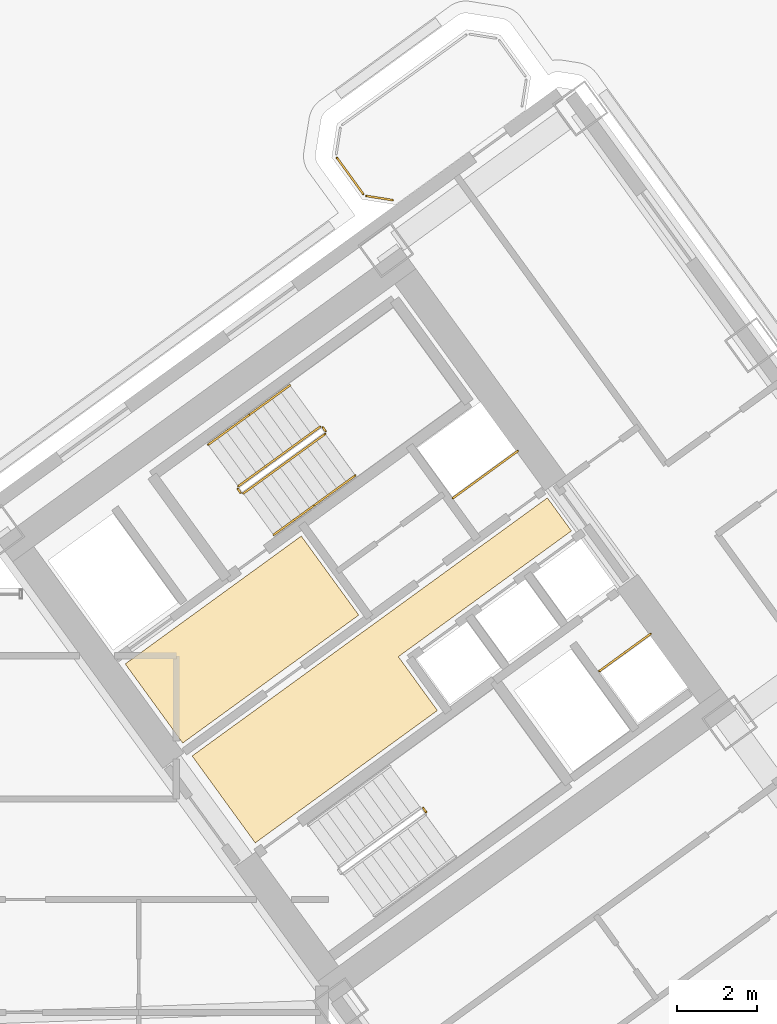
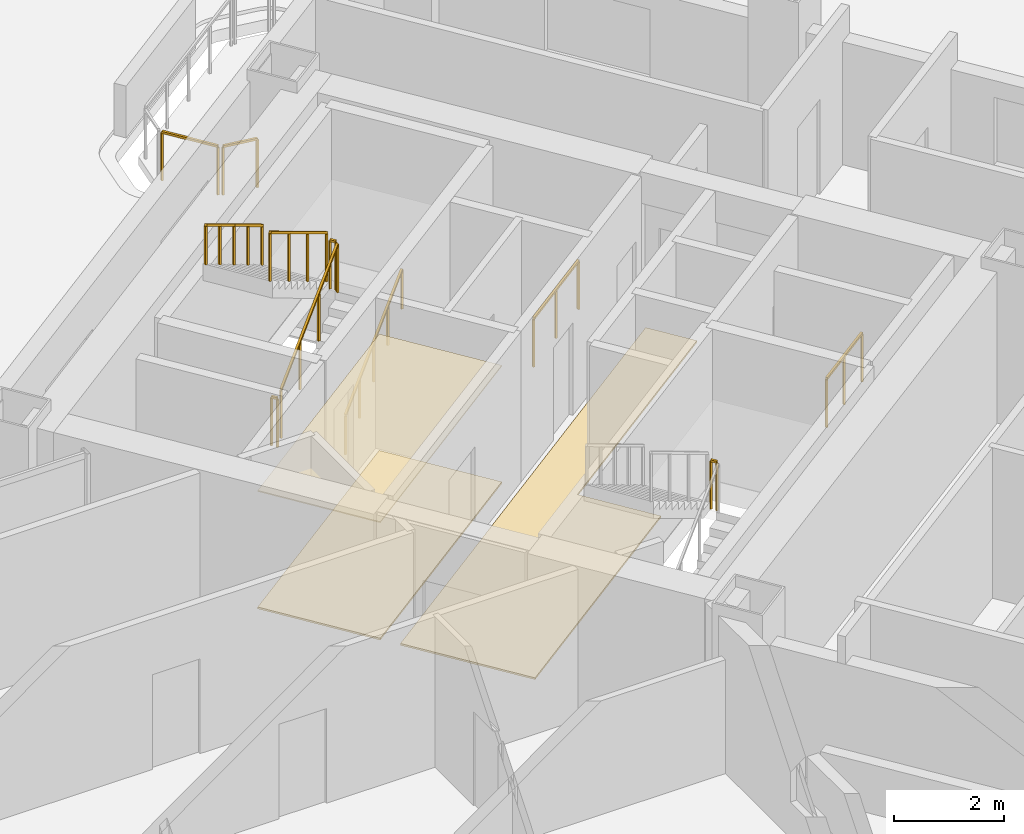
# One storey, part 27 of 28: 13 railings, 3 coverings.
"""IFC4 building model written with IfcOpenShell, lengths in metres."""

from ifc_helpers import new_model, si_unit, direction, frame, origin, origin_2d, place, context, subcontext, project, spatial, polyline, rectangle, outline, extrude, source, transform, mapped, material, layer, layer_set, type_object, element, save


model = new_model("IFC4")

# Units and contexts
model_context = context("Model", 3, precision=1e-05, world=origin(), true_north=direction((0.0, 1.0)))
body_context = subcontext(model_context, "Body", "Model", "MODEL_VIEW")
ifc_project = project(units=[si_unit("LENGTHUNIT", "METRE"), si_unit("AREAUNIT", "SQUARE_METRE"), si_unit("VOLUMEUNIT", "CUBIC_METRE"), si_unit("PLANEANGLEUNIT", "RADIAN"), si_unit("MASSUNIT", "GRAM", prefix="KILO")], contexts=[model_context])

# Site, building, storey
site_placement = place(None, origin())
site = spatial("IfcSite", under=ifc_project, at=site_placement, CompositionType="ELEMENT")
building_placement = place(site_placement, origin())
building = spatial("IfcBuilding", under=site, at=building_placement, Name="Tlacorven Tower", CompositionType="ELEMENT")
storey_placement = place(building_placement, frame((0.0, 0.0, 24.0)))
storey = spatial("IfcBuildingStorey", under=building, at=storey_placement, Name="L05", CompositionType="ELEMENT", Elevation=24.0)

# Coverings
ifc_material_1 = material(Name="Acoustic mineral-fibre ceiling")
ifc_layer_1 = layer(ifc_material_1, 0.02490234375)
ifc_layer_set_1 = layer_set([ifc_layer_1], Name="Acoustic mineral-fibre ceiling")
covering_type_1 = type_object("IfcCoveringType", Name="CV-CLG-ACST", PredefinedType="CEILING", material=ifc_layer_set_1)
covering_1_placement = place(storey_placement, frame((0.0, 0.0, 2.60009765625)))
element("IfcCovering", 1, at=covering_1_placement, inside=storey, type_object=covering_type_1, Name="L05 Acoustic Suspended Ceiling 3", PredefinedType="CEILING", context=body_context, shape_type="SweptSolid", body=[
    extrude(outline(polyline([(48.760498046875, 19.326171875), (47.326171875, 21.300048828125), (51.71923828125, 24.49169921875), (53.1533203125, 22.517822265625), (48.760498046875, 19.326171875)])), origin(), (0.0, 0.0, 1.0), 0.02490234375),
])
ifc_material_2 = material(Name="Terrazzo and ceramic flooring")
ifc_layer_2 = layer(ifc_material_2, 0.0400390625)
ifc_layer_set_2 = layer_set([ifc_layer_2], Name="Terrazzo and ceramic flooring")
covering_type_2 = type_object("IfcCoveringType", Name="CV-FLR-TERZ", PredefinedType="FLOORING", material=ifc_layer_set_2)
covering_2_placement = place(storey_placement, origin())
element("IfcCovering", 2, at=covering_2_placement, inside=storey, type_object=covering_type_2, Name="L05 Terrazzo Floor Finish 3", PredefinedType="FLOORING", context=body_context, shape_type="SweptSolid", body=[
    extrude(outline(polyline([(48.760498046875, 19.326171875), (47.326171875, 21.300048828125), (51.71923828125, 24.49169921875), (53.1533203125, 22.517822265625), (48.760498046875, 19.326171875)])), origin(), (0.0, 0.0, 1.0), 0.0400390625),
])
covering_3_placement = place(storey_placement, origin())
element("IfcCovering", 3, at=covering_3_placement, inside=storey, type_object=covering_type_2, Name="L05 Terrazzo Floor Finish 4", PredefinedType="FLOORING", context=body_context, shape_type="SweptSolid", body=[
    extrude(outline(polyline([(50.57080078125, 16.834228515625), (48.99560546875, 19.00244140625), (57.8623046875, 25.444580078125), (58.4619140625, 24.619384765625), (54.141845703125, 21.480712890625), (55.117431640625, 20.1376953125), (50.57080078125, 16.834228515625)])), origin(), (0.0, 0.0, 1.0), 0.0400390625),
])

# Railings
ifc_material_3 = material(Name="Aluminium and painted steel balustrade", Category="steel")
railing_type_1 = type_object("IfcRailingType", Name="RL-GRD-1100", PredefinedType="GUARDRAIL", material=ifc_material_3)
shared_shape_1 = source(origin(), body_context, "Body", "SweptSolid", [
    extrude(rectangle(XDim=0.048095703125, YDim=0.048095703125, at=origin_2d()), frame((0.0, 0.0, 1.076171875), z_axis=(0.808947177504, 0.587881334972, 0.0), x_axis=(-0.587881334972, 0.808947177504, 0.0)), (0.0, 0.0, 1.0), 2.0),
    extrude(rectangle(XDim=0.0419921875, YDim=0.0419921875, at=origin_2d()), origin(), (0.0, 0.0, 1.0), 1.052001953125),
    extrude(rectangle(XDim=0.0419921875, YDim=0.0419921875, at=origin_2d()), frame((0.80908203125, 0.587890625, 0.0)), (0.0, 0.0, 1.0), 1.052001953125),
    extrude(rectangle(XDim=0.0419921875, YDim=0.0419921875, at=origin_2d()), frame((1.617919921875, 1.17578125, 0.0)), (0.0, 0.0, 1.0), 1.052001953125),
])
railing_1_placement = place(storey_placement, frame((55.506103515625, 25.438232421875, 0.0)))
element("IfcRailing", 4, at=railing_1_placement, inside=storey, type_object=railing_type_1, Name="L05 Electrical Riser E Shaft Guard 1", PredefinedType="GUARDRAIL", context=body_context, shape_type="MappedRepresentation", body=[
    mapped(shared_shape_1, transform((0.0, 0.0, 0.0), scale=1.0)),
])
shared_shape_2 = source(origin(), body_context, "Body", "SweptSolid", [
    extrude(rectangle(XDim=0.048095703125, YDim=0.048095703125, at=origin_2d()), frame((0.0, 0.0, 1.076171875), z_axis=(0.809029975545, 0.58776738483, 0.0), x_axis=(-0.58776738483, 0.809029975545, 0.0)), (0.0, 0.0, 1.0), 1.580078125),
    extrude(rectangle(XDim=0.0419921875, YDim=0.0419921875, at=origin_2d()), origin(), (0.0, 0.0, 1.0), 1.052001953125),
    extrude(rectangle(XDim=0.0419921875, YDim=0.0419921875, at=origin_2d()), frame((0.63916015625, 0.46435546875, 0.0)), (0.0, 0.0, 1.0), 1.052001953125),
    extrude(rectangle(XDim=0.0419921875, YDim=0.0419921875, at=origin_2d()), frame((1.2783203125, 0.9287109375, 0.0)), (0.0, 0.0, 1.0), 1.052001953125),
])
railing_2_placement = place(storey_placement, frame((59.160888671875, 21.122314453125, 0.0)))
element("IfcRailing", 5, at=railing_2_placement, inside=storey, type_object=railing_type_1, Name="L05 Smoke Riser E Shaft Guard 1", PredefinedType="GUARDRAIL", context=body_context, shape_type="MappedRepresentation", body=[
    mapped(shared_shape_2, transform((0.0, 0.0, 0.0), scale=1.0)),
])
railing_type_2 = type_object("IfcRailingType", Name="RL-BAL-1100", PredefinedType="BALUSTRADE", material=ifc_material_3)
shared_shape_3 = source(origin(), body_context, "Body", "SweptSolid", [
    extrude(rectangle(XDim=0.048095703125, YDim=0.048095703125, at=origin_2d()), frame((0.0, 0.0, 1.076171875), z_axis=(-0.987718317463, 0.156245081039, 0.0), x_axis=(-0.156245081039, -0.987718317463, 0.0)), (0.0, 0.0, 1.0), 0.66552734375),
    extrude(rectangle(XDim=0.0419921875, YDim=0.0419921875, at=origin_2d()), origin(), (0.0, 0.0, 1.0), 1.052001953125),
    extrude(rectangle(XDim=0.0419921875, YDim=0.0419921875, at=origin_2d()), frame((-0.657470703125, 0.10400390625, 0.0)), (0.0, 0.0, 1.0), 1.052001953125),
])
railing_3_placement = place(storey_placement, frame((54.00341796875, 32.8759765625, 0.0)))
element("IfcRailing", 6, at=railing_3_placement, inside=storey, type_object=railing_type_2, Name="BAL-L05-E-IN Guard Railing 1", PredefinedType="BALUSTRADE", context=body_context, shape_type="MappedRepresentation", body=[
    mapped(shared_shape_3, transform((0.0, 0.0, 0.0), scale=1.0)),
])
shared_shape_4 = source(origin(), body_context, "Body", "SweptSolid", [
    extrude(rectangle(XDim=0.048095703125, YDim=0.048095703125, at=origin_2d()), frame((0.0, 0.0, 1.076171875), z_axis=(-0.587740817519, 0.809049276263, 0.0), x_axis=(-0.809049276263, -0.587740817519, 0.0)), (0.0, 0.0, 1.0), 1.112060546875),
    extrude(rectangle(XDim=0.0419921875, YDim=0.0419921875, at=origin_2d()), origin(), (0.0, 0.0, 1.0), 1.052001953125),
    extrude(rectangle(XDim=0.0419921875, YDim=0.0419921875, at=origin_2d()), frame((-0.653564453125, 0.899658203125, 0.0)), (0.0, 0.0, 1.0), 1.052001953125),
])
railing_4_placement = place(storey_placement, frame((53.26708984375, 33.0283203125, 0.0)))
element("IfcRailing", 7, at=railing_4_placement, inside=storey, type_object=railing_type_2, Name="BAL-L05-E-IN Guard Railing 2", PredefinedType="BALUSTRADE", context=body_context, shape_type="MappedRepresentation", body=[
    mapped(shared_shape_4, transform((0.0, 0.0, 0.0), scale=1.0)),
])
shared_shape_5 = source(origin(), body_context, "Body", "SweptSolid", [
    extrude(rectangle(XDim=0.048095703125, YDim=0.048095703125, at=origin_2d()), frame((0.0, 0.0, 1.076171875), z_axis=(-0.587567097037, 0.809175448515, 0.0), x_axis=(-0.809175448515, -0.587567097037, 0.0)), (0.0, 0.0, 1.0), 0.1201171875),
    extrude(rectangle(XDim=0.0419921875, YDim=0.0419921875, at=origin_2d()), origin(), (0.0, 0.0, 1.0), 1.052001953125),
    extrude(rectangle(XDim=0.0419921875, YDim=0.0419921875, at=origin_2d()), frame((-0.070556640625, 0.09716796875, 0.0)), (0.0, 0.0, 1.0), 1.052001953125),
])
railing_5_placement = place(storey_placement, frame((54.8310546875, 17.605712890625, 1.800048828125)))
element("IfcRailing", 8, at=railing_5_placement, inside=storey, type_object=railing_type_1, Name="L05 ST-E2 stair guard 2", PredefinedType="GUARDRAIL", context=body_context, shape_type="MappedRepresentation", body=[
    mapped(shared_shape_5, transform((0.0, 0.0, 0.0), scale=1.0)),
])
shared_shape_6 = source(origin(), body_context, "Body", "SweptSolid", [
    extrude(rectangle(XDim=0.048095703125, YDim=0.048095703125, at=origin_2d()), frame((0.0, 0.0, 1.076171875), z_axis=(-0.587201422542, 0.809440849824, 0.0), x_axis=(-0.809440849824, -0.587201422542, 0.0)), (0.0, 0.0, 1.0), 0.11962890625),
    extrude(rectangle(XDim=0.0419921875, YDim=0.0419921875, at=origin_2d()), origin(), (0.0, 0.0, 1.0), 1.052001953125),
    extrude(rectangle(XDim=0.0419921875, YDim=0.0419921875, at=origin_2d()), frame((-0.0703125, 0.096923828125, 0.0)), (0.0, 0.0, 1.0), 1.052001953125),
])
for number, where, name in (
    (9, (52.326904296875, 27.10888671875, 1.800048828125), "L05 ST-E1 stair guard 2"),
    (10, (50.207275390625, 25.56884765625, 0.0), "L05 ST-E1 stair guard 4"),
):
    element("IfcRailing", number, at=place(storey_placement, frame(where)), inside=storey, type_object=railing_type_1, Name=name, PredefinedType="GUARDRAIL", context=body_context, shape_type="MappedRepresentation", body=[
        mapped(shared_shape_6, transform((0.0, 0.0, 0.0), scale=1.0)),
    ])
shared_shape_7 = source(origin(), body_context, "Body", "SweptSolid", [
    extrude(rectangle(XDim=0.048095703125, YDim=0.048095703125, at=origin_2d()), frame((0.0, 0.0, 1.076171875), z_axis=(0.680488636597, 0.494434078831, 0.540805100894), x_axis=(-0.5878087079, 0.808999952359, 0.0)), (0.0, 0.0, 1.0), 2.995849609375),
    extrude(rectangle(XDim=0.0419921875, YDim=0.0419921875, at=origin_2d()), origin(), (0.0, 0.0, 1.0), 1.052001953125),
    extrude(rectangle(XDim=0.0419921875, YDim=0.0419921875, at=origin_2d()), frame((0.679443359375, 0.49365234375, 0.5400390625)), (0.0, 0.0, 1.0), 1.052001953125),
    extrude(rectangle(XDim=0.0419921875, YDim=0.0419921875, at=origin_2d()), frame((1.359130859375, 0.987548828125, 1.080078125)), (0.0, 0.0, 1.0), 1.052001953125),
    extrude(rectangle(XDim=0.0419921875, YDim=0.0419921875, at=origin_2d()), frame((2.03857421875, 1.481201171875, 1.6201171875)), (0.0, 0.0, 1.0), 1.052001953125),
])
railing_6_placement = place(storey_placement, frame((50.27734375, 25.557861328125, 0.179931640625)))
element("IfcRailing", 11, at=railing_6_placement, inside=storey, type_object=railing_type_1, Name="L05 ST-E1 stair guard 1", PredefinedType="GUARDRAIL", context=body_context, shape_type="MappedRepresentation", body=[
    mapped(shared_shape_7, transform((0.0, 0.0, 0.0), scale=1.0)),
])
shared_shape_8 = source(origin(), body_context, "Body", "SweptSolid", [
    extrude(rectangle(XDim=0.048095703125, YDim=0.048095703125, at=origin_2d()), frame((0.0, 0.0, 1.076171875), z_axis=(-0.680488636597, -0.494434078831, 0.540805100894), x_axis=(0.5878087079, -0.808999952359, 0.0)), (0.0, 0.0, 1.0), 2.995849609375),
    extrude(rectangle(XDim=0.0419921875, YDim=0.0419921875, at=origin_2d()), origin(), (0.0, 0.0, 1.0), 1.052001953125),
    extrude(rectangle(XDim=0.0419921875, YDim=0.0419921875, at=origin_2d()), frame((-0.679443359375, -0.49365234375, 0.5400390625)), (0.0, 0.0, 1.0), 1.052001953125),
    extrude(rectangle(XDim=0.0419921875, YDim=0.0419921875, at=origin_2d()), frame((-1.359130859375, -0.987548828125, 1.080078125)), (0.0, 0.0, 1.0), 1.052001953125),
    extrude(rectangle(XDim=0.0419921875, YDim=0.0419921875, at=origin_2d()), frame((-2.03857421875, -1.481201171875, 1.6201171875)), (0.0, 0.0, 1.0), 1.052001953125),
])
railing_7_placement = place(storey_placement, frame((52.1865234375, 27.217041015625, 1.97998046875)))
element("IfcRailing", 12, at=railing_7_placement, inside=storey, type_object=railing_type_1, Name="L05 ST-E1 stair guard 3", PredefinedType="GUARDRAIL", context=body_context, shape_type="MappedRepresentation", body=[
    mapped(shared_shape_8, transform((0.0, 0.0, 0.0), scale=1.0)),
])
railing_type_3 = type_object("IfcRailingType", Name="RL-HND-0900", PredefinedType="HANDRAIL", material=ifc_material_3)
shared_shape_9 = source(origin(), body_context, "Body", "SweptSolid", [
    extrude(rectangle(XDim=0.048095703125, YDim=0.048095703125, at=origin_2d()), frame((0.0, 0.0, 0.8759765625), z_axis=(0.680516055757, 0.494372502302, 0.540826891737), x_axis=(-0.587745292299, 0.809046025502, 0.0)), (0.0, 0.0, 1.0), 1.497802734375),
    extrude(rectangle(XDim=0.0419921875, YDim=0.0419921875, at=origin_2d()), origin(), (0.0, 0.0, 1.0), 0.851806640625),
    extrude(rectangle(XDim=0.0419921875, YDim=0.0419921875, at=origin_2d()), frame((0.509765625, 0.3701171875, 0.405029296875)), (0.0, 0.0, 1.0), 0.851806640625),
    extrude(rectangle(XDim=0.0419921875, YDim=0.0419921875, at=origin_2d()), frame((1.019287109375, 0.740478515625, 0.81005859375)), (0.0, 0.0, 1.0), 0.851806640625),
])
railing_8_placement = place(storey_placement, frame((51.029541015625, 24.522216796875, 0.179931640625)))
element("IfcRailing", 13, at=railing_8_placement, inside=storey, type_object=railing_type_3, Name="L05 ST-E1 stair handrail 1", PredefinedType="HANDRAIL", context=body_context, shape_type="MappedRepresentation", body=[
    mapped(shared_shape_9, transform((0.0, 0.0, 0.0), scale=1.0)),
])
shared_shape_10 = source(origin(), body_context, "Body", "SweptSolid", [
    extrude(rectangle(XDim=0.048095703125, YDim=0.048095703125, at=origin_2d()), frame((0.0, 0.0, 0.8759765625), z_axis=(0.680548719995, 0.49444080854, 0.540723336433), x_axis=(-0.587779977844, 0.80902082646, 0.0)), (0.0, 0.0, 1.0), 1.498046875),
    extrude(rectangle(XDim=0.0419921875, YDim=0.0419921875, at=origin_2d()), origin(), (0.0, 0.0, 1.0), 0.851806640625),
    extrude(rectangle(XDim=0.0419921875, YDim=0.0419921875, at=origin_2d()), frame((0.509765625, 0.370361328125, 0.405029296875)), (0.0, 0.0, 1.0), 0.851806640625),
    extrude(rectangle(XDim=0.0419921875, YDim=0.0419921875, at=origin_2d()), frame((1.01953125, 0.74072265625, 0.81005859375)), (0.0, 0.0, 1.0), 0.851806640625),
])
railing_9_placement = place(storey_placement, frame((52.048828125, 25.2626953125, 0.989990234375)))
element("IfcRailing", 14, at=railing_9_placement, inside=storey, type_object=railing_type_3, Name="L05 ST-E1 stair handrail 2", PredefinedType="HANDRAIL", context=body_context, shape_type="MappedRepresentation", body=[
    mapped(shared_shape_10, transform((0.0, 0.0, 0.0), scale=1.0)),
])
shared_shape_11 = source(origin(), body_context, "Body", "SweptSolid", [
    extrude(rectangle(XDim=0.048095703125, YDim=0.048095703125, at=origin_2d()), frame((0.0, 0.0, 0.8759765625), z_axis=(-0.680603554404, -0.494317667746, 0.540766904577), x_axis=(0.587653156371, -0.809112951205, 0.0)), (0.0, 0.0, 1.0), 1.498046875),
    extrude(rectangle(XDim=0.0419921875, YDim=0.0419921875, at=origin_2d()), origin(), (0.0, 0.0, 1.0), 0.851806640625),
    extrude(rectangle(XDim=0.0419921875, YDim=0.0419921875, at=origin_2d()), frame((-0.509765625, -0.3701171875, 0.405029296875)), (0.0, 0.0, 1.0), 0.851806640625),
    extrude(rectangle(XDim=0.0419921875, YDim=0.0419921875, at=origin_2d()), frame((-1.01953125, -0.740478515625, 0.81005859375)), (0.0, 0.0, 1.0), 0.851806640625),
])
railing_10_placement = place(storey_placement, frame((51.434326171875, 28.25244140625, 1.97998046875)))
element("IfcRailing", 15, at=railing_10_placement, inside=storey, type_object=railing_type_3, Name="L05 ST-E1 stair handrail 3", PredefinedType="HANDRAIL", context=body_context, shape_type="MappedRepresentation", body=[
    mapped(shared_shape_11, transform((0.0, 0.0, 0.0), scale=1.0)),
])
shared_shape_12 = source(origin(), body_context, "Body", "SweptSolid", [
    extrude(rectangle(XDim=0.048095703125, YDim=0.048095703125, at=origin_2d()), frame((0.0, 0.0, 0.8759765625), z_axis=(-0.680461216233, -0.494495647917, 0.540783309093), x_axis=(0.587872112667, -0.808953879494, 0.0)), (0.0, 0.0, 1.0), 1.498046875),
    extrude(rectangle(XDim=0.0419921875, YDim=0.0419921875, at=origin_2d()), origin(), (0.0, 0.0, 1.0), 0.851806640625),
    extrude(rectangle(XDim=0.0419921875, YDim=0.0419921875, at=origin_2d()), frame((-0.509765625, -0.370361328125, 0.405029296875)), (0.0, 0.0, 1.0), 0.851806640625),
    extrude(rectangle(XDim=0.0419921875, YDim=0.0419921875, at=origin_2d()), frame((-1.019287109375, -0.74072265625, 0.81005859375)), (0.0, 0.0, 1.0), 0.851806640625),
])
railing_11_placement = place(storey_placement, frame((50.414794921875, 27.511962890625, 2.7900390625)))
element("IfcRailing", 16, at=railing_11_placement, inside=storey, type_object=railing_type_3, Name="L05 ST-E1 stair handrail 4", PredefinedType="HANDRAIL", context=body_context, shape_type="MappedRepresentation", body=[
    mapped(shared_shape_12, transform((0.0, 0.0, 0.0), scale=1.0)),
])

save(model, "model.ifc")
